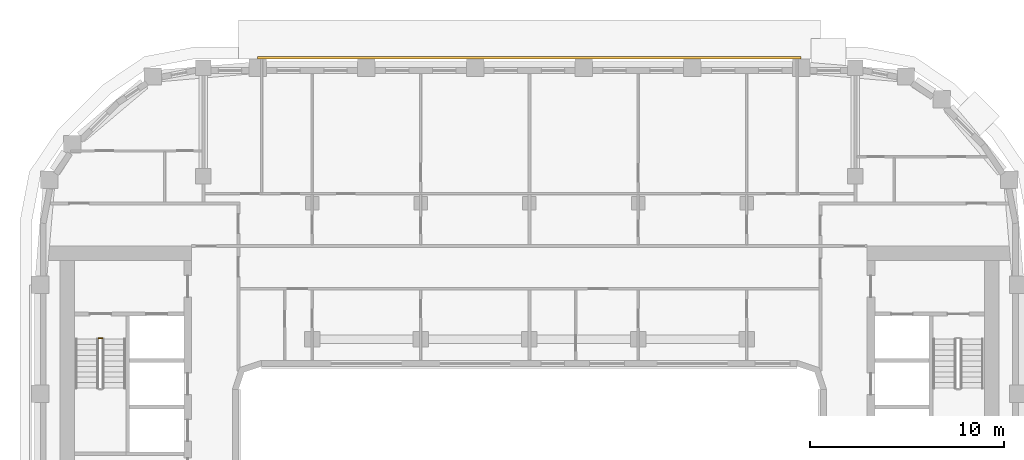
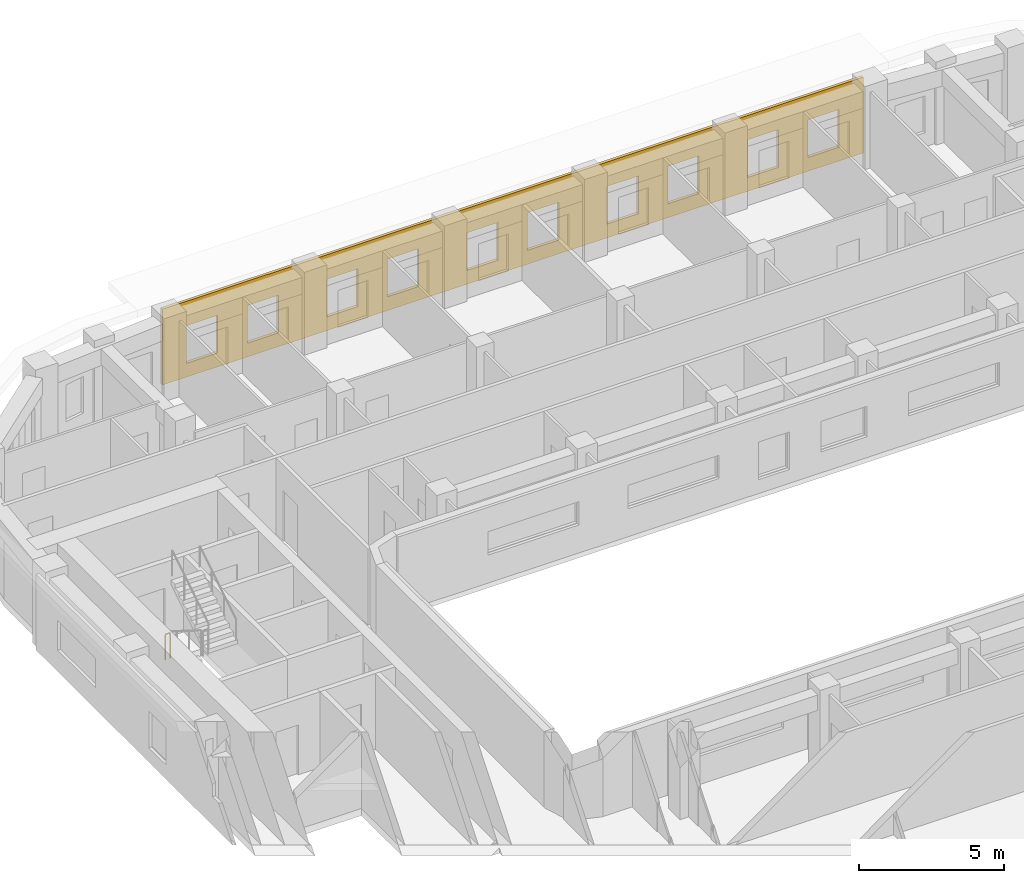
# One storey, part 19 of 21: 1 covering, 1 railing.
"""IFC4 building model written with IfcOpenShell, lengths in metres."""

from ifc_helpers import new_model, si_unit, direction, frame, origin, origin_2d, place, context, subcontext, project, spatial, polyline, circle, outline, extrude, material, layer, layer_set, type_object, element, save


model = new_model("IFC4")

# Units and contexts
model_context = context("Model", 3, precision=1e-05, world=origin(), true_north=direction((0.0, 1.0)))
body_context = subcontext(model_context, "Body", "Model", "MODEL_VIEW")
ifc_project = project(units=[si_unit("LENGTHUNIT", "METRE"), si_unit("AREAUNIT", "SQUARE_METRE"), si_unit("VOLUMEUNIT", "CUBIC_METRE"), si_unit("PLANEANGLEUNIT", "RADIAN"), si_unit("MASSUNIT", "GRAM", prefix="KILO")], contexts=[model_context])

# Site, building, storey
site_placement = place(None, origin())
site = spatial("IfcSite", under=ifc_project, at=site_placement, CompositionType="ELEMENT")
building_placement = place(site_placement, origin())
building = spatial("IfcBuilding", under=site, at=building_placement, Name="Kiln Ring Residences", CompositionType="ELEMENT")
storey_placement = place(building_placement, frame((0.0, 0.0, 202.89990234375)))
storey = spatial("IfcBuildingStorey", under=building, at=storey_placement, Name="L52", CompositionType="ELEMENT", Elevation=202.89990234375)

# Railing
ifc_material_1 = material(Name="Stainless steel", Category="steel")
railing_type = type_object("IfcRailingType", Name="CORE-STAIR-GUARD", PredefinedType="GUARDRAIL", material=ifc_material_1)
railing_placement = place(storey_placement, frame((-22.199951171875, 8.449951171875, 0.0)))
element("IfcRailing", 1, at=railing_placement, inside=storey, type_object=railing_type, Name="L52 W-STN stair guard 4", PredefinedType="GUARDRAIL", context=body_context, shape_type="SweptSolid", body=[
    extrude(circle(Radius=0.02392578125, at=origin_2d()), frame((0.0, 0.0, 1.076171875), z_axis=(1.0, 0.0, 0.0), x_axis=(0.0, 1.0, 0.0)), (0.0, 0.0, 1.0), 0.199951171875),
    extrude(circle(Radius=0.02099609375, at=origin_2d()), origin(), (0.0, 0.0, 1.0), 1.052001953125),
    extrude(circle(Radius=0.02099609375, at=origin_2d()), frame((0.199951171875, 0.0, 0.0)), (0.0, 0.0, 1.0), 1.052001953125),
])

# Covering
ifc_material_2 = material(Name="Brick masonry, dark clay brick", Category="masonry")
ifc_layer = layer(ifc_material_2, 0.1201171875)
ifc_layer_set = layer_set([ifc_layer], Name="RAINSCREEN PANEL 120")
covering_type = type_object("IfcCoveringType", Name="RAINSCREEN PANEL 120", PredefinedType="CLADDING", material=ifc_layer_set)
covering_placement = place(storey_placement, frame((14.0, 22.909912109375, 0.0), z_axis=(0.0, 0.0, 1.0), x_axis=(-1.0, 0.0, 0.0)))
element("IfcCovering", 2, at=covering_placement, inside=storey, type_object=covering_type, Name="RAINSCREEN L52", PredefinedType="CLADDING", context=body_context, shape_type="SweptSolid", body=[
    extrude(outline(polyline([(0.0, 0.0), (28.0, 0.0), (28.0, 3.2001953125), (0.0, 3.2001953125), (0.0, 0.0)]), holes=[polyline([(0.967529296875, 0.580078125), (2.20751953125, 0.580078125), (2.20751953125, 2.170166015625), (0.967529296875, 2.170166015625), (0.967529296875, 0.580078125)]), polyline([(3.392578125, 0.580078125), (4.632568359375, 0.580078125), (4.632568359375, 2.170166015625), (3.392578125, 2.170166015625), (3.392578125, 0.580078125)]), polyline([(6.5673828125, 0.580078125), (7.8076171875, 0.580078125), (7.8076171875, 2.170166015625), (6.5673828125, 2.170166015625), (6.5673828125, 0.580078125)]), polyline([(8.992431640625, 2.170166015625), (8.992431640625, 0.580078125), (10.232421875, 0.580078125), (10.232421875, 2.170166015625), (8.992431640625, 2.170166015625)]), polyline([(12.16748046875, 2.170166015625), (12.16748046875, 0.580078125), (13.407470703125, 0.580078125), (13.407470703125, 2.170166015625), (12.16748046875, 2.170166015625)]), polyline([(14.592529296875, 0.580078125), (15.83251953125, 0.580078125), (15.83251953125, 2.170166015625), (14.592529296875, 2.170166015625), (14.592529296875, 0.580078125)]), polyline([(17.767578125, 0.580078125), (19.007568359375, 0.580078125), (19.007568359375, 2.170166015625), (17.767578125, 2.170166015625), (17.767578125, 0.580078125)]), polyline([(20.1923828125, 0.580078125), (21.4326171875, 0.580078125), (21.4326171875, 2.170166015625), (20.1923828125, 2.170166015625), (20.1923828125, 0.580078125)]), polyline([(23.367431640625, 2.170166015625), (23.367431640625, 0.580078125), (24.607421875, 0.580078125), (24.607421875, 2.170166015625), (23.367431640625, 2.170166015625)]), polyline([(25.79248046875, 2.170166015625), (25.79248046875, 0.580078125), (27.032470703125, 0.580078125), (27.032470703125, 2.170166015625), (25.79248046875, 2.170166015625)])]), frame((0.0, 0.06005859375, 0.0), z_axis=(0.0, -1.0, 0.0), x_axis=(1.0, 0.0, 0.0)), (0.0, 0.0, 1.0), 0.1201171875),
])

save(model, "model.ifc")
